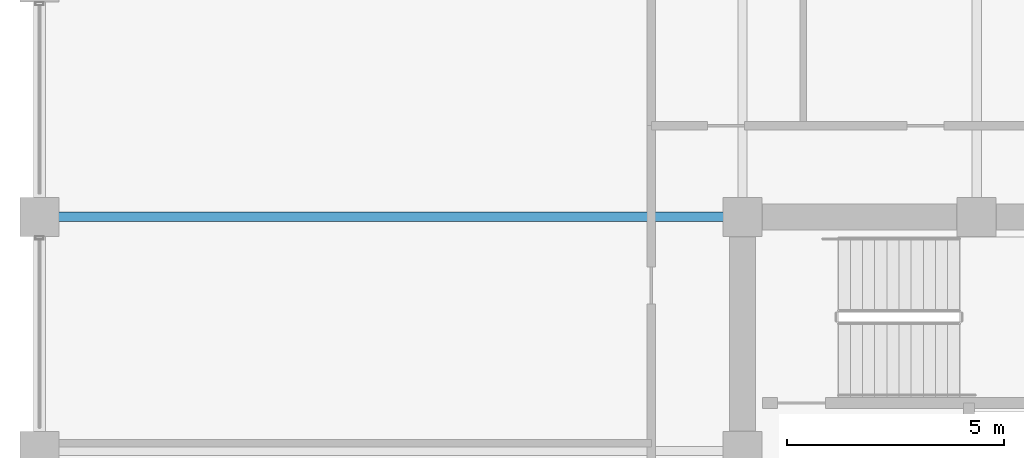
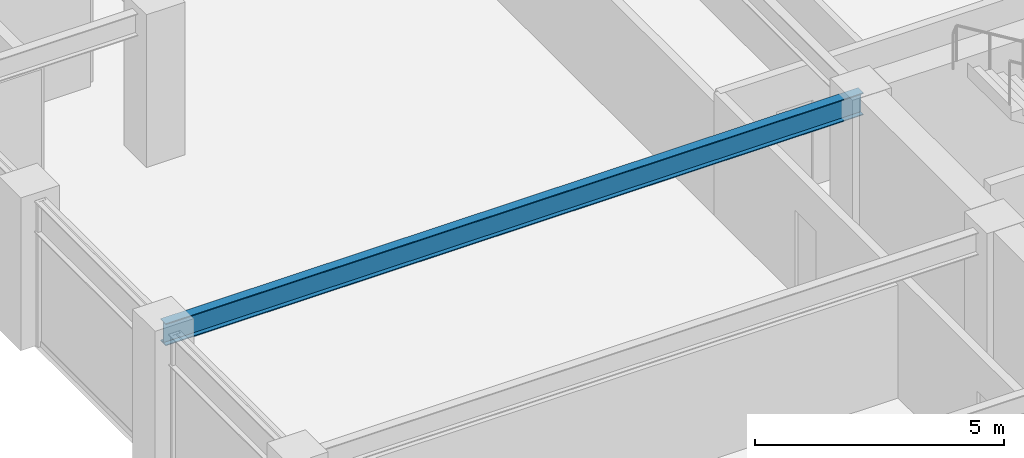
# One storey, part 17 of 32: 1 beam.
"""IFC4 building model written with IfcOpenShell, lengths in metres."""

from ifc_helpers import new_model, si_unit, direction, frame, origin, origin_2d, place, context, subcontext, project, spatial, i_section, extrude, material, material_profile, profile_set, type_object, element, save


model = new_model("IFC4")

# Units and contexts
model_context = context("Model", 3, precision=1e-05, world=origin(), true_north=direction((0.0, 1.0)))
body_context = subcontext(model_context, "Body", "Model", "MODEL_VIEW")
ifc_project = project(units=[si_unit("LENGTHUNIT", "METRE"), si_unit("AREAUNIT", "SQUARE_METRE"), si_unit("VOLUMEUNIT", "CUBIC_METRE"), si_unit("PLANEANGLEUNIT", "RADIAN"), si_unit("MASSUNIT", "GRAM", prefix="KILO")], contexts=[model_context])

# Site, building, storey
site_placement = place(None, origin())
site = spatial("IfcSite", under=ifc_project, at=site_placement, CompositionType="ELEMENT")
building_placement = place(site_placement, origin())
building = spatial("IfcBuilding", under=site, at=building_placement, Name="Surkhivell Harbour Commons", CompositionType="ELEMENT")
storey_placement = place(building_placement, frame((0.0, 0.0, 204.75)))
storey = spatial("IfcBuildingStorey", under=building, at=storey_placement, Name="L53", CompositionType="ELEMENT", Elevation=204.75)

# Beam
ifc_material = material(Name="Steel S355", Category="steel")
ifc_material_profile = material_profile(ifc_material, i_section(OverallWidth=0.2119140625, OverallDepth=0.5439453125, WebThickness=0.0126953125, FlangeThickness=0.021240234375, at=origin_2d()), Name="UB533x210x122")
ifc_profile_set = profile_set([ifc_material_profile], Name="Steel S355")
beam_type = type_object("IfcBeamType", Name="BM-GRD-533A", PredefinedType="BEAM", material=ifc_profile_set)
beam_placement = place(storey_placement, frame((-27.0, 10.800048828125, 3.298095703125), z_axis=(1.0, 0.0, 0.0), x_axis=(0.0, 1.0, 0.0)))
element("IfcBeam", 1, at=beam_placement, inside=storey, type_object=beam_type, Name="L53 Floor Girder (-27.0,10.8)", PredefinedType="BEAM", context=body_context, shape_type="SweptSolid", body=[
    extrude(i_section(OverallWidth=0.2119140625, OverallDepth=0.5439453125, WebThickness=0.0126953125, FlangeThickness=0.021240234375, at=origin_2d()), origin(), (0.0, 0.0, 1.0), 16.199951171875),
])

save(model, "model.ifc")
